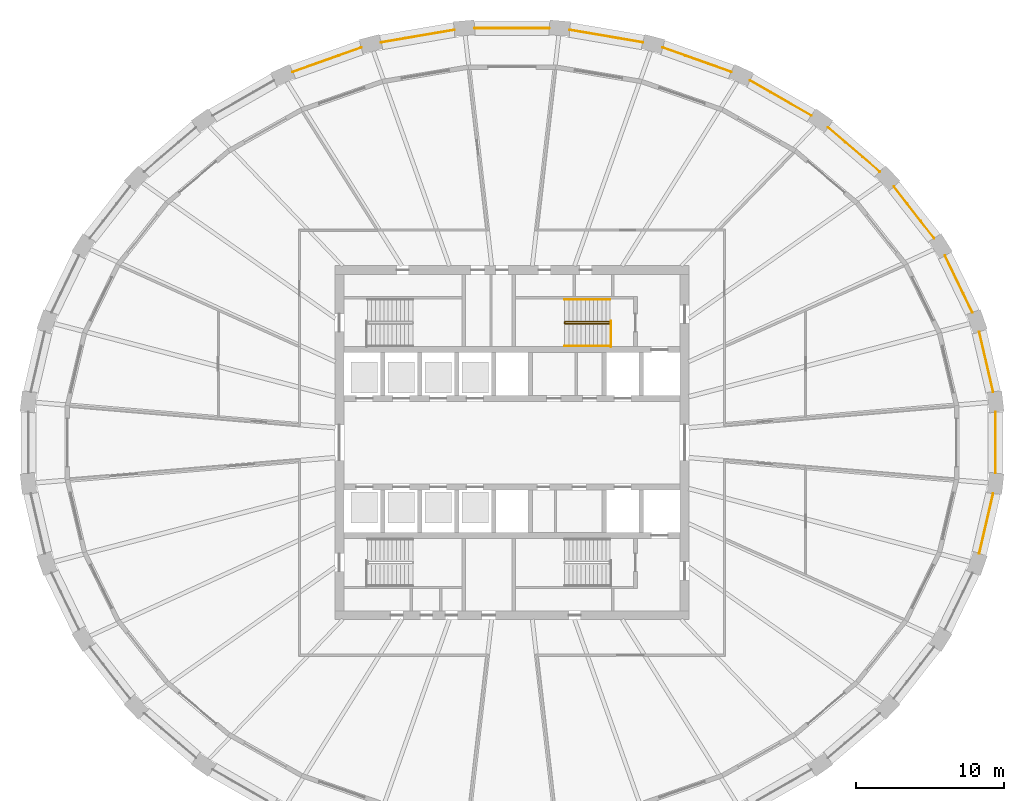
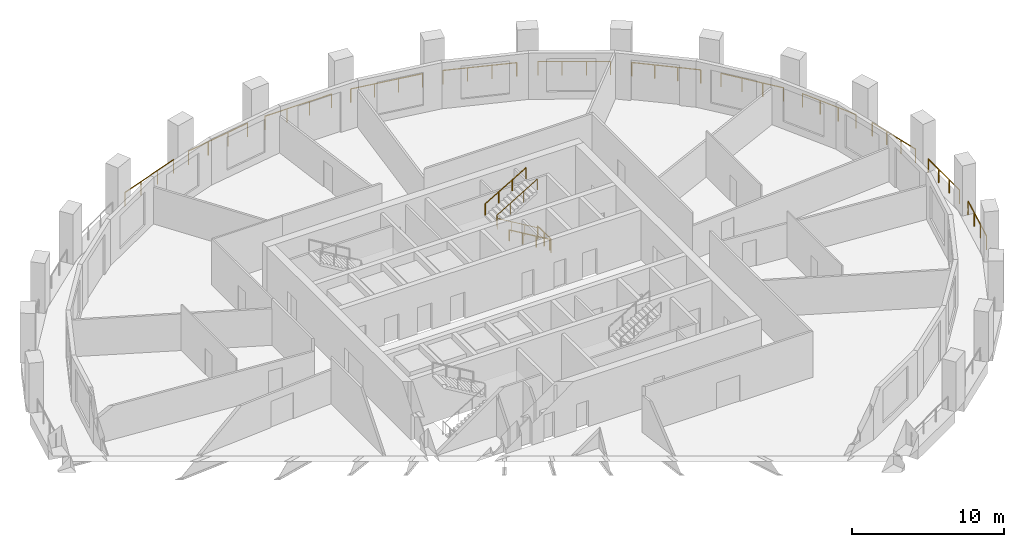
# One storey, part 9 of 10: 16 railings.
"""IFC4 building model written with IfcOpenShell, lengths in metres."""

from ifc_helpers import new_model, si_unit, direction, frame, origin, origin_2d, place, context, subcontext, project, spatial, circle, extrude, material, type_object, element, save


model = new_model("IFC4")

# Units and contexts
model_context = context("Model", 3, precision=1e-05, world=origin(), true_north=direction((0.0, 1.0)))
body_context = subcontext(model_context, "Body", "Model", "MODEL_VIEW")
ifc_project = project(units=[si_unit("LENGTHUNIT", "METRE"), si_unit("AREAUNIT", "SQUARE_METRE"), si_unit("VOLUMEUNIT", "CUBIC_METRE"), si_unit("PLANEANGLEUNIT", "RADIAN"), si_unit("MASSUNIT", "GRAM", prefix="KILO")], contexts=[model_context])

# Site, building, storey
site_placement = place(None, origin())
site = spatial("IfcSite", under=ifc_project, at=site_placement, CompositionType="ELEMENT")
building_placement = place(site_placement, origin())
building = spatial("IfcBuilding", under=site, at=building_placement, Name="Halqa Exchange Tower", CompositionType="ELEMENT")
storey_placement = place(building_placement, frame((0.0, 0.0, 178.89990234375)))
storey = spatial("IfcBuildingStorey", under=building, at=storey_placement, Name="L40", CompositionType="ELEMENT", Elevation=178.89990234375)

# Railings
ifc_material = material(Name="Stainless steel", Category="steel")
railing_type_1 = type_object("IfcRailingType", Name="Guard 1100 stainless steel", PredefinedType="GUARDRAIL", material=ifc_material)
railing_1_placement = place(storey_placement, frame((32.6044921875, 3.44775390625, 0.0)))
element("IfcRailing", 1, at=railing_1_placement, inside=storey, type_object=railing_type_1, Name="Loggia guard 1", PredefinedType="GUARDRAIL", context=body_context, shape_type="SweptSolid", body=[
    extrude(circle(Radius=0.02392578125, at=origin_2d()), frame((0.0, 0.0, 1.076171875), z_axis=(-0.22612077851, 0.974099272932, 0.0), x_axis=(-0.974099272932, -0.22612077851, 0.0)), (0.0, 0.0, 1.0), 4.169677734375),
    extrude(circle(Radius=0.02099609375, at=origin_2d()), origin(), (0.0, 0.0, 1.0), 1.052001953125),
    extrude(circle(Radius=0.02099609375, at=origin_2d()), frame((-0.314208984375, 1.35400390625, 0.0)), (0.0, 0.0, 1.0), 1.052001953125),
    extrude(circle(Radius=0.02099609375, at=origin_2d()), frame((-0.628662109375, 2.707763671875, 0.0)), (0.0, 0.0, 1.0), 1.052001953125),
    extrude(circle(Radius=0.02099609375, at=origin_2d()), frame((-0.94287109375, 4.061767578125, 0.0)), (0.0, 0.0, 1.0), 1.052001953125),
])
railing_2_placement = place(storey_placement, frame((31.198974609375, 8.821533203125, 0.0)))
element("IfcRailing", 2, at=railing_2_placement, inside=storey, type_object=railing_type_1, Name="Loggia guard 2", PredefinedType="GUARDRAIL", context=body_context, shape_type="SweptSolid", body=[
    extrude(circle(Radius=0.02392578125, at=origin_2d()), frame((0.0, 0.0, 1.076171875), z_axis=(-0.435114663921, 0.900375049211, 0.0), x_axis=(-0.900375049211, -0.435114663921, 0.0)), (0.0, 0.0, 1.0), 4.276123046875),
    extrude(circle(Radius=0.02099609375, at=origin_2d()), origin(), (0.0, 0.0, 1.0), 1.052001953125),
    extrude(circle(Radius=0.02099609375, at=origin_2d()), frame((-0.6201171875, 1.283447265625, 0.0)), (0.0, 0.0, 1.0), 1.052001953125),
    extrude(circle(Radius=0.02099609375, at=origin_2d()), frame((-1.240478515625, 2.566650390625, 0.0)), (0.0, 0.0, 1.0), 1.052001953125),
    extrude(circle(Radius=0.02099609375, at=origin_2d()), frame((-1.860595703125, 3.85009765625, 0.0)), (0.0, 0.0, 1.0), 1.052001953125),
])
railing_3_placement = place(storey_placement, frame((28.603515625, 13.85400390625, 0.0)))
element("IfcRailing", 3, at=railing_3_placement, inside=storey, type_object=railing_type_1, Name="Loggia guard 3", PredefinedType="GUARDRAIL", context=body_context, shape_type="SweptSolid", body=[
    extrude(circle(Radius=0.02392578125, at=origin_2d()), frame((0.0, 0.0, 1.076171875), z_axis=(-0.614783111341, 0.788696219092, 0.0), x_axis=(-0.788696219092, -0.614783111341, 0.0)), (0.0, 0.0, 1.0), 4.431884765625),
    extrude(circle(Radius=0.02099609375, at=origin_2d()), origin(), (0.0, 0.0, 1.0), 1.052001953125),
    extrude(circle(Radius=0.02099609375, at=origin_2d()), frame((-0.908203125, 1.1650390625, 0.0)), (0.0, 0.0, 1.0), 1.052001953125),
    extrude(circle(Radius=0.02099609375, at=origin_2d()), frame((-1.81640625, 2.330322265625, 0.0)), (0.0, 0.0, 1.0), 1.052001953125),
    extrude(circle(Radius=0.02099609375, at=origin_2d()), frame((-2.724609375, 3.495361328125, 0.0)), (0.0, 0.0, 1.0), 1.052001953125),
])
railing_4_placement = place(storey_placement, frame((24.9169921875, 18.35693359375, 0.0)))
element("IfcRailing", 4, at=railing_4_placement, inside=storey, type_object=railing_type_1, Name="Loggia guard 4", PredefinedType="GUARDRAIL", context=body_context, shape_type="SweptSolid", body=[
    extrude(circle(Radius=0.02392578125, at=origin_2d()), frame((0.0, 0.0, 1.076171875), z_axis=(-0.759249126509, 0.650800095187, 0.0), x_axis=(-0.650800095187, -0.759249126509, 0.0)), (0.0, 0.0, 1.0), 4.6103515625),
    extrude(circle(Radius=0.02099609375, at=origin_2d()), origin(), (0.0, 0.0, 1.0), 1.052001953125),
    extrude(circle(Radius=0.02099609375, at=origin_2d()), frame((-1.166748046875, 1.000244140625, 0.0)), (0.0, 0.0, 1.0), 1.052001953125),
    extrude(circle(Radius=0.02099609375, at=origin_2d()), frame((-2.333740234375, 2.000244140625, 0.0)), (0.0, 0.0, 1.0), 1.052001953125),
    extrude(circle(Radius=0.02099609375, at=origin_2d()), frame((-3.50048828125, 3.00048828125, 0.0)), (0.0, 0.0, 1.0), 1.052001953125),
])
railing_5_placement = place(storey_placement, frame((20.277587890625, 22.160888671875, 0.0)))
element("IfcRailing", 5, at=railing_5_placement, inside=storey, type_object=railing_type_1, Name="Loggia guard 5", PredefinedType="GUARDRAIL", context=body_context, shape_type="SweptSolid", body=[
    extrude(circle(Radius=0.02392578125, at=origin_2d()), frame((0.0, 0.0, 1.076171875), z_axis=(-0.867793681236, 0.496924669148, 0.0), x_axis=(-0.496924669148, -0.867793681236, 0.0)), (0.0, 0.0, 1.0), 4.783935546875),
    extrude(circle(Radius=0.02099609375, at=origin_2d()), origin(), (0.0, 0.0, 1.0), 1.052001953125),
    extrude(circle(Radius=0.02099609375, at=origin_2d()), frame((-1.3837890625, 0.79248046875, 0.0)), (0.0, 0.0, 1.0), 1.052001953125),
    extrude(circle(Radius=0.02099609375, at=origin_2d()), frame((-2.767578125, 1.584716796875, 0.0)), (0.0, 0.0, 1.0), 1.052001953125),
    extrude(circle(Radius=0.02099609375, at=origin_2d()), frame((-4.1513671875, 2.377197265625, 0.0)), (0.0, 0.0, 1.0), 1.052001953125),
])
railing_6_placement = place(storey_placement, frame((14.859130859375, 25.120361328125, 0.0)))
element("IfcRailing", 6, at=railing_6_placement, inside=storey, type_object=railing_type_1, Name="Loggia guard 6", PredefinedType="GUARDRAIL", context=body_context, shape_type="SweptSolid", body=[
    extrude(circle(Radius=0.02392578125, at=origin_2d()), frame((0.0, 0.0, 1.076171875), z_axis=(-0.94236475605, 0.334587307822, 0.0), x_axis=(-0.334587307822, -0.94236475605, 0.0)), (0.0, 0.0, 1.0), 4.9267578125),
    extrude(circle(Radius=0.02099609375, at=origin_2d()), origin(), (0.0, 0.0, 1.0), 1.052001953125),
    extrude(circle(Radius=0.02099609375, at=origin_2d()), frame((-1.547607421875, 0.549560546875, 0.0)), (0.0, 0.0, 1.0), 1.052001953125),
    extrude(circle(Radius=0.02099609375, at=origin_2d()), frame((-3.09521484375, 1.098876953125, 0.0)), (0.0, 0.0, 1.0), 1.052001953125),
    extrude(circle(Radius=0.02099609375, at=origin_2d()), frame((-4.642822265625, 1.6484375, 0.0)), (0.0, 0.0, 1.0), 1.052001953125),
])
railing_7_placement = place(storey_placement, frame((8.866455078125, 27.12060546875, 0.0)))
element("IfcRailing", 7, at=railing_7_placement, inside=storey, type_object=railing_type_1, Name="Loggia guard 7", PredefinedType="GUARDRAIL", context=body_context, shape_type="SweptSolid", body=[
    extrude(circle(Radius=0.02392578125, at=origin_2d()), frame((0.0, 0.0, 1.076171875), z_axis=(-0.985772013082, 0.16808788839, 0.0), x_axis=(-0.16808788839, -0.985772013082, 0.0)), (0.0, 0.0, 1.0), 5.021240234375),
    extrude(circle(Radius=0.02099609375, at=origin_2d()), origin(), (0.0, 0.0, 1.0), 1.052001953125),
    extrude(circle(Radius=0.02099609375, at=origin_2d()), frame((-1.64990234375, 0.28125, 0.0)), (0.0, 0.0, 1.0), 1.052001953125),
    extrude(circle(Radius=0.02099609375, at=origin_2d()), frame((-3.2998046875, 0.562744140625, 0.0)), (0.0, 0.0, 1.0), 1.052001953125),
    extrude(circle(Radius=0.02099609375, at=origin_2d()), frame((-4.94970703125, 0.843994140625, 0.0)), (0.0, 0.0, 1.0), 1.052001953125),
])
railing_8_placement = place(storey_placement, frame((2.52685546875, 28.082275390625, 0.0)))
element("IfcRailing", 8, at=railing_8_placement, inside=storey, type_object=railing_type_1, Name="Loggia guard 8", PredefinedType="GUARDRAIL", context=body_context, shape_type="SweptSolid", body=[
    extrude(circle(Radius=0.02392578125, at=origin_2d()), frame((0.0, 0.0, 1.076171875), z_axis=(-1.0, 0.0, 0.0), x_axis=(0.0, -1.0, 0.0)), (0.0, 0.0, 1.0), 5.0537109375),
    extrude(circle(Radius=0.02099609375, at=origin_2d()), origin(), (0.0, 0.0, 1.0), 1.052001953125),
    extrude(circle(Radius=0.02099609375, at=origin_2d()), frame((-1.6845703125, 0.0, 0.0)), (0.0, 0.0, 1.0), 1.052001953125),
    extrude(circle(Radius=0.02099609375, at=origin_2d()), frame((-3.369140625, 0.0, 0.0)), (0.0, 0.0, 1.0), 1.052001953125),
    extrude(circle(Radius=0.02099609375, at=origin_2d()), frame((-5.0537109375, 0.0, 0.0)), (0.0, 0.0, 1.0), 1.052001953125),
])
railing_9_placement = place(storey_placement, frame((-3.916748046875, 27.964599609375, 0.0)))
element("IfcRailing", 9, at=railing_9_placement, inside=storey, type_object=railing_type_1, Name="Loggia guard 9", PredefinedType="GUARDRAIL", context=body_context, shape_type="SweptSolid", body=[
    extrude(circle(Radius=0.02392578125, at=origin_2d()), frame((0.0, 0.0, 1.076171875), z_axis=(-0.985772013082, -0.16808788839, 0.0), x_axis=(0.16808788839, -0.985772013082, 0.0)), (0.0, 0.0, 1.0), 5.021240234375),
    extrude(circle(Radius=0.02099609375, at=origin_2d()), origin(), (0.0, 0.0, 1.0), 1.052001953125),
    extrude(circle(Radius=0.02099609375, at=origin_2d()), frame((-1.64990234375, -0.28125, 0.0)), (0.0, 0.0, 1.0), 1.052001953125),
    extrude(circle(Radius=0.02099609375, at=origin_2d()), frame((-3.2998046875, -0.562744140625, 0.0)), (0.0, 0.0, 1.0), 1.052001953125),
    extrude(circle(Radius=0.02099609375, at=origin_2d()), frame((-4.94970703125, -0.843994140625, 0.0)), (0.0, 0.0, 1.0), 1.052001953125),
])
railing_10_placement = place(storey_placement, frame((-10.21630859375, 26.768798828125, 0.0)))
element("IfcRailing", 10, at=railing_10_placement, inside=storey, type_object=railing_type_1, Name="Loggia guard 10", PredefinedType="GUARDRAIL", context=body_context, shape_type="SweptSolid", body=[
    extrude(circle(Radius=0.02392578125, at=origin_2d()), frame((0.0, 0.0, 1.076171875), z_axis=(-0.94236475605, -0.334587307822, 0.0), x_axis=(0.334587307822, -0.94236475605, 0.0)), (0.0, 0.0, 1.0), 4.9267578125),
    extrude(circle(Radius=0.02099609375, at=origin_2d()), origin(), (0.0, 0.0, 1.0), 1.052001953125),
    extrude(circle(Radius=0.02099609375, at=origin_2d()), frame((-1.547607421875, -0.549560546875, 0.0)), (0.0, 0.0, 1.0), 1.052001953125),
    extrude(circle(Radius=0.02099609375, at=origin_2d()), frame((-3.09521484375, -1.098876953125, 0.0)), (0.0, 0.0, 1.0), 1.052001953125),
    extrude(circle(Radius=0.02099609375, at=origin_2d()), frame((-4.642822265625, -1.6484375, 0.0)), (0.0, 0.0, 1.0), 1.052001953125),
])
railing_11_placement = place(storey_placement, frame((31.66162109375, -7.509521484375, 0.0)))
element("IfcRailing", 11, at=railing_11_placement, inside=storey, type_object=railing_type_1, Name="Loggia guard 31", PredefinedType="GUARDRAIL", context=body_context, shape_type="SweptSolid", body=[
    extrude(circle(Radius=0.02392578125, at=origin_2d()), frame((0.0, 0.0, 1.076171875), z_axis=(0.22612077851, 0.974099272932, 0.0), x_axis=(-0.974099272932, 0.22612077851, 0.0)), (0.0, 0.0, 1.0), 4.169677734375),
    extrude(circle(Radius=0.02099609375, at=origin_2d()), origin(), (0.0, 0.0, 1.0), 1.052001953125),
    extrude(circle(Radius=0.02099609375, at=origin_2d()), frame((0.314208984375, 1.35400390625, 0.0)), (0.0, 0.0, 1.0), 1.052001953125),
    extrude(circle(Radius=0.02099609375, at=origin_2d()), frame((0.628662109375, 2.707763671875, 0.0)), (0.0, 0.0, 1.0), 1.052001953125),
    extrude(circle(Radius=0.02099609375, at=origin_2d()), frame((0.94287109375, 4.061767578125, 0.0)), (0.0, 0.0, 1.0), 1.052001953125),
])
railing_12_placement = place(storey_placement, frame((32.7626953125, -2.06591796875, 0.0)))
element("IfcRailing", 12, at=railing_12_placement, inside=storey, type_object=railing_type_1, Name="Loggia guard 32", PredefinedType="GUARDRAIL", context=body_context, shape_type="SweptSolid", body=[
    extrude(circle(Radius=0.02392578125, at=origin_2d()), frame((0.0, 0.0, 1.076171875), z_axis=(0.0, 1.0, 0.0), x_axis=(-1.0, 0.0, 0.0)), (0.0, 0.0, 1.0), 4.1318359375),
    extrude(circle(Radius=0.02099609375, at=origin_2d()), origin(), (0.0, 0.0, 1.0), 1.052001953125),
    extrude(circle(Radius=0.02099609375, at=origin_2d()), frame((0.0, 1.377197265625, 0.0)), (0.0, 0.0, 1.0), 1.052001953125),
    extrude(circle(Radius=0.02099609375, at=origin_2d()), frame((0.0, 2.754638671875, 0.0)), (0.0, 0.0, 1.0), 1.052001953125),
    extrude(circle(Radius=0.02099609375, at=origin_2d()), frame((0.0, 4.1318359375, 0.0)), (0.0, 0.0, 1.0), 1.052001953125),
])
railing_type_2 = type_object("IfcRailingType", Name="Stair handrail 900", PredefinedType="HANDRAIL", material=ifc_material)
railing_13_placement = place(storey_placement, frame((6.64990234375, 8.06005859375, 0.166748046875)))
element("IfcRailing", 13, at=railing_13_placement, inside=storey, type_object=railing_type_2, Name="Handrail ST2.1", PredefinedType="HANDRAIL", context=body_context, shape_type="SweptSolid", body=[
    extrude(circle(Radius=0.02392578125, at=origin_2d()), frame((0.0, 0.0, 0.8759765625), z_axis=(-0.859290745958, 0.0, 0.51148745235), x_axis=(0.0, -1.0, 0.0)), (0.0, 0.0, 1.0), 3.584228515625),
    extrude(circle(Radius=0.02392578125, at=origin_2d()), frame((-3.079833984375, 0.0, 2.708984375), z_axis=(0.0, 0.614500226555, 0.788916644243), x_axis=(-1.0, 0.0, 0.0)), (0.0, 0.0, 1.0), 0.21142578125),
    extrude(circle(Radius=0.02392578125, at=origin_2d()), frame((-3.079833984375, 0.1298828125, 2.8759765625), z_axis=(0.859290745958, 0.0, 0.51148745235), x_axis=(0.0, 1.0, 0.0)), (0.0, 0.0, 1.0), 3.584228515625),
    extrude(circle(Radius=0.02099609375, at=origin_2d()), origin(), (0.0, 0.0, 1.0), 0.851806640625),
    extrude(circle(Radius=0.02099609375, at=origin_2d()), frame((-1.026611328125, 0.0, 0.611083984375)), (0.0, 0.0, 1.0), 0.851806640625),
    extrude(circle(Radius=0.02099609375, at=origin_2d()), frame((-2.05322265625, 0.0, 1.22216796875)), (0.0, 0.0, 1.0), 0.851806640625),
    extrude(circle(Radius=0.02099609375, at=origin_2d()), frame((-3.079833984375, 0.0, 1.833251953125)), (0.0, 0.0, 1.0), 0.851806640625),
    extrude(circle(Radius=0.02099609375, at=origin_2d()), frame((-3.079833984375, 0.1298828125, 2.0)), (0.0, 0.0, 1.0), 0.851806640625),
    extrude(circle(Radius=0.02099609375, at=origin_2d()), frame((-2.05322265625, 0.1298828125, 2.611083984375)), (0.0, 0.0, 1.0), 0.851806640625),
    extrude(circle(Radius=0.02099609375, at=origin_2d()), frame((-1.026611328125, 0.1298828125, 3.22216796875)), (0.0, 0.0, 1.0), 0.851806640625),
    extrude(circle(Radius=0.02099609375, at=origin_2d()), frame((0.0, 0.1298828125, 3.833251953125)), (0.0, 0.0, 1.0), 0.851806640625),
])
railing_14_placement = place(storey_placement, frame((6.64990234375, 6.550048828125, 0.166748046875)))
element("IfcRailing", 14, at=railing_14_placement, inside=storey, type_object=railing_type_2, Name="Handrail ST2.2", PredefinedType="HANDRAIL", context=body_context, shape_type="SweptSolid", body=[
    extrude(circle(Radius=0.02392578125, at=origin_2d()), frame((0.0, 0.0, 0.8759765625), z_axis=(-0.859290745958, 0.0, 0.51148745235), x_axis=(0.0, -1.0, 0.0)), (0.0, 0.0, 1.0), 3.584228515625),
    extrude(circle(Radius=0.02099609375, at=origin_2d()), origin(), (0.0, 0.0, 1.0), 0.851806640625),
    extrude(circle(Radius=0.02099609375, at=origin_2d()), frame((-1.026611328125, 0.0, 0.611083984375)), (0.0, 0.0, 1.0), 0.851806640625),
    extrude(circle(Radius=0.02099609375, at=origin_2d()), frame((-2.05322265625, 0.0, 1.22216796875)), (0.0, 0.0, 1.0), 0.851806640625),
    extrude(circle(Radius=0.02099609375, at=origin_2d()), frame((-3.079833984375, 0.0, 1.833251953125)), (0.0, 0.0, 1.0), 0.851806640625),
])
railing_15_placement = place(storey_placement, frame((3.570068359375, 9.699951171875, 2.166748046875)))
element("IfcRailing", 15, at=railing_15_placement, inside=storey, type_object=railing_type_2, Name="Handrail ST2.3", PredefinedType="HANDRAIL", context=body_context, shape_type="SweptSolid", body=[
    extrude(circle(Radius=0.02392578125, at=origin_2d()), frame((0.0, 0.0, 0.8759765625), z_axis=(0.859290745958, 0.0, 0.51148745235), x_axis=(0.0, 1.0, 0.0)), (0.0, 0.0, 1.0), 3.584228515625),
    extrude(circle(Radius=0.02099609375, at=origin_2d()), origin(), (0.0, 0.0, 1.0), 0.851806640625),
    extrude(circle(Radius=0.02099609375, at=origin_2d()), frame((1.026611328125, 0.0, 0.611083984375)), (0.0, 0.0, 1.0), 0.851806640625),
    extrude(circle(Radius=0.02099609375, at=origin_2d()), frame((2.05322265625, 0.0, 1.22216796875)), (0.0, 0.0, 1.0), 0.851806640625),
    extrude(circle(Radius=0.02099609375, at=origin_2d()), frame((3.079833984375, 0.0, 1.833251953125)), (0.0, 0.0, 1.0), 0.851806640625),
])
railing_type_3 = type_object("IfcRailingType", Name="Stair well guard 1100", PredefinedType="GUARDRAIL", material=ifc_material)
railing_16_placement = place(storey_placement, frame((6.699951171875, 6.5, 0.0)))
element("IfcRailing", 16, at=railing_16_placement, inside=storey, type_object=railing_type_3, Name="Guard ST2 well", PredefinedType="GUARDRAIL", context=body_context, shape_type="SweptSolid", body=[
    extrude(circle(Radius=0.02392578125, at=origin_2d()), frame((0.0, 0.0, 1.076171875), z_axis=(0.0, 1.0, 0.0), x_axis=(-1.0, 0.0, 0.0)), (0.0, 0.0, 1.0), 1.75),
    extrude(circle(Radius=0.02099609375, at=origin_2d()), origin(), (0.0, 0.0, 1.0), 1.052001953125),
    extrude(circle(Radius=0.02099609375, at=origin_2d()), frame((0.0, 0.875, 0.0)), (0.0, 0.0, 1.0), 1.052001953125),
    extrude(circle(Radius=0.02099609375, at=origin_2d()), frame((0.0, 1.75, 0.0)), (0.0, 0.0, 1.0), 1.052001953125),
])

save(model, "model.ifc")
